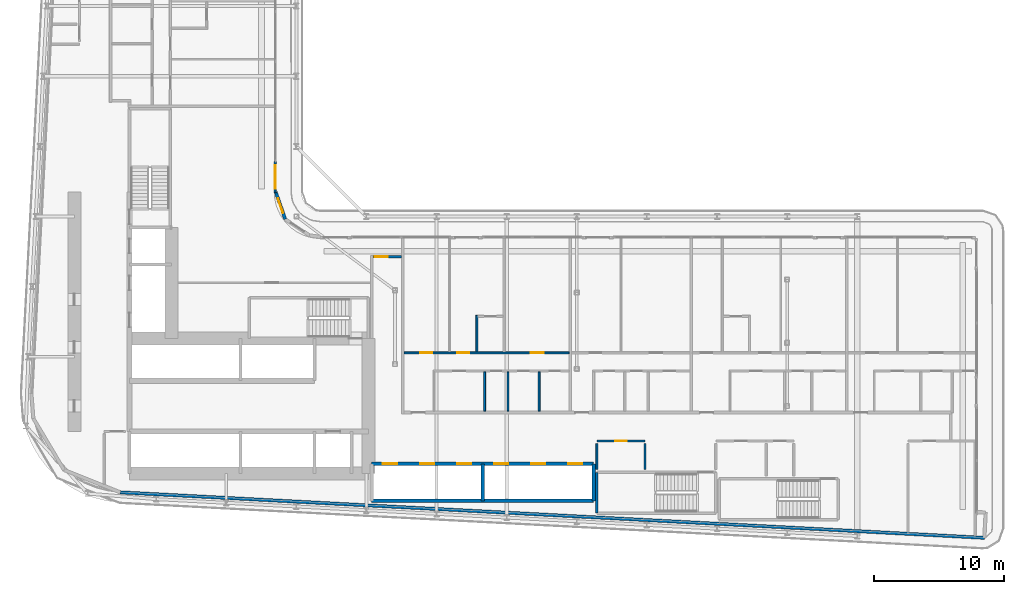
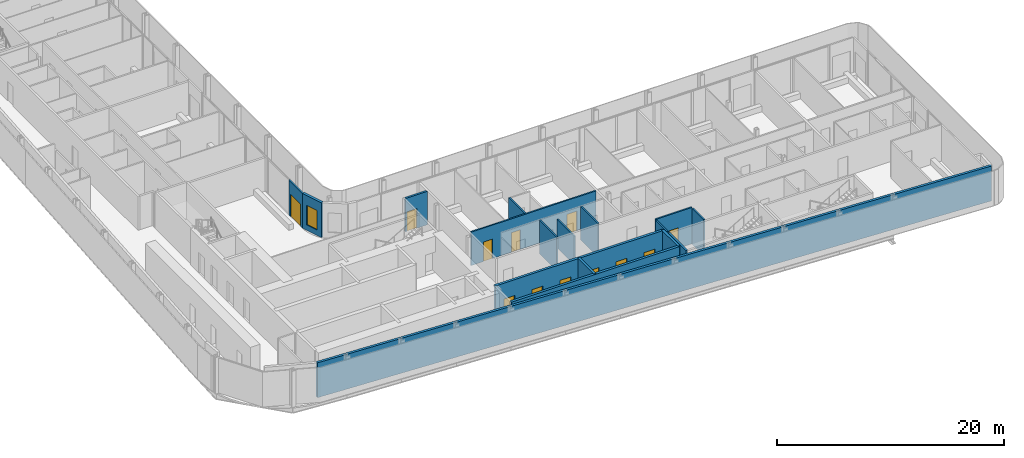
# One storey, part 13 of 27: 17 walls, 12 doors, 1 window, 13 openings.
"""IFC4 building model written with IfcOpenShell, lengths in metres."""

from ifc_helpers import new_model, si_unit, direction, frame, frame_2d, origin, place, context, subcontext, project, spatial, rectangle, extrude, source, transform, mapped, material, layer, layer_set, type_object, element, fill, save


model = new_model("IFC4")

# Units and contexts
model_context = context("Model", 3, precision=1e-05, world=origin(), true_north=direction((0.0, 1.0)))
body_context = subcontext(model_context, "Body", "Model", "MODEL_VIEW")
ifc_project = project(units=[si_unit("LENGTHUNIT", "METRE"), si_unit("AREAUNIT", "SQUARE_METRE"), si_unit("VOLUMEUNIT", "CUBIC_METRE"), si_unit("PLANEANGLEUNIT", "RADIAN"), si_unit("MASSUNIT", "GRAM", prefix="KILO")], contexts=[model_context])

# Site, building, storey
site_placement = place(None, origin())
site = spatial("IfcSite", under=ifc_project, at=site_placement, CompositionType="ELEMENT")
building_placement = place(site_placement, origin())
building = spatial("IfcBuilding", under=site, at=building_placement, Name="Kheshtan School and Residences Tower", CompositionType="ELEMENT")
storey_placement = place(building_placement, frame((0.0, 0.0, 57.800048828125)))
storey = spatial("IfcBuildingStorey", under=building, at=storey_placement, Name="L13", CompositionType="ELEMENT", Elevation=57.800048828125)

# Wall, opening, door
ifc_material_1 = material(Name="Gypsum board on steel studs with fire boards", Category="steel")
ifc_layer_1 = layer(ifc_material_1, 0.199951171875)
ifc_layer_set_1 = layer_set([ifc_layer_1], Name="Corridor wall 200")
wall_type_1 = type_object("IfcWallType", Name="Corridor wall 200", PredefinedType="PARTITIONING", material=ifc_layer_set_1)
wall_1_placement = place(storey_placement, frame((53.5, 42.5, 0.0), z_axis=(0.0, 0.0, 1.0), x_axis=(1.0, 0.0, 0.0)))
wall_1 = element("IfcWall", 1, at=wall_1_placement, inside=storey, type_object=wall_type_1, Name="Partition L13-044", PredefinedType="PARTITIONING", context=body_context, shape_type="SweptSolid", body=[
    extrude(rectangle(XDim=2.199951171875, YDim=0.199951171875, at=frame_2d((1.10009765625, 0.0))), origin(), (0.0, 0.0, 1.0), 3.599853515625),
])
opening_1_placement = place(wall_1_placement, frame((0.14990234375, 0.0, 0.0)))
opening_1 = element("IfcOpeningElement", 2, at=opening_1_placement, cuts=wall_1, Name="Opening D12-059", PredefinedType="OPENING", context=body_context, shape_type="SweptSolid", body=[
    extrude(rectangle(XDim=1.0, YDim=2.10009765625, at=frame_2d((0.5, 1.050048828125))), frame((0.0, 0.10986328125, 0.0), z_axis=(0.0, -1.0, 0.0), x_axis=(1.0, 0.0, 0.0)), (0.0, 0.0, 1.0), 0.219970703125),
])
ifc_material_2 = material(Name="Steel-framed fire-resisting door leaf", Category="steel")
door_type_1 = type_object("IfcDoorType", Name="Fire door FD60 1000 x 2100", OperationType="SINGLE_SWING_LEFT", PredefinedType="DOOR", material=ifc_material_2)
shared_shape_1 = source(origin(), body_context, "Body", "SweptSolid", [
    extrude(rectangle(XDim=1.0, YDim=2.10009765625, at=frame_2d((0.5, 1.050048828125))), frame((0.0, 0.02490234375, 0.0), z_axis=(0.0, -1.0, 0.0), x_axis=(1.0, 0.0, 0.0)), (0.0, 0.0, 1.0), 0.050048828125),
])
door_1_placement = place(opening_1_placement, origin())
door_1 = element("IfcDoor", 3, at=door_1_placement, inside=storey, type_object=door_type_1, Name="Door D12-059", OperationType="SINGLE_SWING_RIGHT", OverallHeight=2.10009765625, OverallWidth=1.0, PredefinedType="DOOR", context=body_context, shape_type="MappedRepresentation", body=[
    mapped(shared_shape_1, transform((0.0, 0.0, 0.0), x_axis=(1.0, 0.0, 0.0), y_axis=(0.0, 1.0, 0.0), z_axis=(0.0, 0.0, 1.0), scale=1.0)),
])
fill(opening_1, door_1)

# Wall, opening, window
ifc_material_3 = material(Name="Concrete C40/50 with ceramic cladding and mineral wool insulation", Category="concrete")
ifc_layer_2 = layer(ifc_material_3, 0.25)
ifc_layer_set_2 = layer_set([ifc_layer_2], Name="External wall 250 ceramic clad")
wall_type_2 = type_object("IfcWallType", Name="External wall 250 ceramic clad", PredefinedType="SOLIDWALL", material=ifc_layer_set_2)
wall_2_placement = place(storey_placement, frame((46.01806640625, 47.470947265625, 0.0), z_axis=(0.0, 0.0, 1.0), x_axis=(0.328791208903, -0.944402637093, 0.0)))
wall_2 = element("IfcWall", 4, at=wall_2_placement, inside=storey, type_object=wall_type_2, Name="External wall L13 9", PredefinedType="SOLIDWALL", context=body_context, shape_type="SweptSolid", body=[
    extrude(rectangle(XDim=2.20458984375, YDim=0.25, at=frame_2d((1.102294921875, 0.0))), origin(), (0.0, 0.0, 1.0), 3.75),
])
opening_2_placement = place(wall_2_placement, frame((0.5029296875, 0.0, 0.60009765625)))
opening_2 = element("IfcOpeningElement", 5, at=opening_2_placement, cuts=wall_2, Name="Opening WN-E", PredefinedType="OPENING", context=body_context, shape_type="SweptSolid", body=[
    extrude(rectangle(XDim=1.199951171875, YDim=2.10009765625, at=frame_2d((0.60009765625, 1.050048828125))), frame((0.0, 0.135009765625, 0.0), z_axis=(0.0, -1.0, 0.0), x_axis=(1.0, 0.0, 0.0)), (0.0, 0.0, 1.0), 0.27001953125),
])
ifc_material_4 = material(Name="Clear low-e glass in thermally broken aluminium frame", Category="aluminium")
window_type = type_object("IfcWindowType", Name="Window WN-E", PartitioningType="SINGLE_PANEL", PredefinedType="WINDOW", material=ifc_material_4)
shared_shape_2 = source(origin(), body_context, "Body", "SweptSolid", [
    extrude(rectangle(XDim=1.199951171875, YDim=2.10009765625, at=frame_2d((0.60009765625, 1.050048828125))), frame((0.0, 0.030029296875, 0.0), z_axis=(0.0, -1.0, 0.0), x_axis=(1.0, 0.0, 0.0)), (0.0, 0.0, 1.0), 0.06005859375),
])
window_placement = place(opening_2_placement, origin())
window = element("IfcWindow", 6, at=window_placement, inside=storey, type_object=window_type, Name="Window L13 9", OverallHeight=2.10009765625, OverallWidth=1.199951171875, PartitioningType="SINGLE_PANEL", PredefinedType="WINDOW", context=body_context, shape_type="MappedRepresentation", body=[
    mapped(shared_shape_2, transform((0.0, 0.0, 0.0), x_axis=(1.0, 0.0, 0.0), y_axis=(0.0, 1.0, 0.0), z_axis=(0.0, 0.0, 1.0), scale=1.0)),
])
fill(opening_2, window)

# Wall
wall_3_placement = place(storey_placement, frame((100.5859375, 20.85009765625, 0.0), z_axis=(0.0, 0.0, 1.0), x_axis=(-0.99861746497, 0.052565755559, 0.0)))
element("IfcWall", 7, at=wall_3_placement, inside=storey, type_object=wall_type_2, Name="External wall L13 16", PredefinedType="SOLIDWALL", context=body_context, shape_type="SweptSolid", body=[
    extrude(rectangle(XDim=66.638916015625, YDim=0.25, at=frame_2d((33.3193359375, 0.0))), origin(), (0.0, 0.0, 1.0), 3.75),
])

# Wall, opening, door
ifc_material_5 = material(Name="Aluminium frame wall with insulated infill", Category="aluminium")
ifc_layer_3 = layer(ifc_material_5, 0.14990234375)
ifc_layer_set_3 = layer_set([ifc_layer_3], Name="Glazing frame wall 150")
wall_type_3 = type_object("IfcWallType", Name="Glazing frame wall 150", PredefinedType="SOLIDWALL", material=ifc_layer_set_3)
wall_4_placement = place(storey_placement, frame((45.97509765625, 49.830078125, 0.0), z_axis=(0.0, 0.0, 1.0), x_axis=(0.0, -1.0, 0.0)))
wall_4 = element("IfcWall", 8, at=wall_4_placement, inside=storey, type_object=wall_type_3, Name="Balcony door wall L13 8.5", PredefinedType="SOLIDWALL", context=body_context, shape_type="SweptSolid", body=[
    extrude(rectangle(XDim=2.400146484375, YDim=0.14990234375, at=frame_2d((1.2001953125, 0.0))), origin(), (0.0, 0.0, 1.0), 3.75),
])
opening_3_placement = place(wall_4_placement, frame((0.300048828125, 0.0, 0.0)))
opening_3 = element("IfcOpeningElement", 9, at=opening_3_placement, cuts=wall_4, Name="Opening BD", PredefinedType="OPENING", context=body_context, shape_type="SweptSolid", body=[
    extrude(rectangle(XDim=1.800048828125, YDim=2.39990234375, at=frame_2d((0.89990234375, 1.199951171875))), frame((0.0, 0.0849609375, 0.0), z_axis=(0.0, -1.0, 0.0), x_axis=(1.0, 0.0, 0.0)), (0.0, 0.0, 1.0), 0.169921875),
])
door_type_2 = type_object("IfcDoorType", Name="Balcony sliding door", OperationType="SLIDING_TO_LEFT", PredefinedType="DOOR", material=ifc_material_4)
shared_shape_3 = source(origin(), body_context, "Body", "SweptSolid", [
    extrude(rectangle(XDim=1.800048828125, YDim=2.39990234375, at=frame_2d((0.89990234375, 1.199951171875))), frame((0.0, 0.02490234375, 0.0), z_axis=(0.0, -1.0, 0.0), x_axis=(1.0, 0.0, 0.0)), (0.0, 0.0, 1.0), 0.050048828125),
])
door_2_placement = place(opening_3_placement, origin())
door_2 = element("IfcDoor", 10, at=door_2_placement, inside=storey, type_object=door_type_2, Name="Balcony door L13 8.5", OperationType="SLIDING_TO_LEFT", OverallHeight=2.39990234375, OverallWidth=1.800048828125, PredefinedType="DOOR", context=body_context, shape_type="MappedRepresentation", body=[
    mapped(shared_shape_3, transform((0.0, 0.0, 0.0), x_axis=(1.0, 0.0, 0.0), y_axis=(0.0, 1.0, 0.0), z_axis=(0.0, 0.0, 1.0), scale=1.0)),
])
fill(opening_3, door_2)

ifc_material_6 = material(Name="Fire-board shaft wall system")
ifc_layer_4 = layer(ifc_material_6, 0.14990234375)
ifc_layer_set_4 = layer_set([ifc_layer_4], Name="Service room wall 150")
wall_type_4 = type_object("IfcWallType", Name="Service room wall 150", PredefinedType="PARTITIONING", material=ifc_layer_set_4)
wall_5_placement = place(storey_placement, frame((70.75, 28.300048828125, 0.0), z_axis=(0.0, 0.0, 1.0), x_axis=(1.0, 0.0, 0.0)))
wall_5 = element("IfcWall", 11, at=wall_5_placement, inside=storey, type_object=wall_type_4, Name="Service room wall", PredefinedType="PARTITIONING", context=body_context, shape_type="SweptSolid", body=[
    extrude(rectangle(XDim=3.7041015625, YDim=0.14990234375, at=frame_2d((1.85205078125, 0.0))), origin(), (0.0, 0.0, 1.0), 3.89990234375),
])
opening_4_placement = place(wall_5_placement, frame((1.402099609375, 0.0, 0.0)))
opening_4 = element("IfcOpeningElement", 12, at=opening_4_placement, cuts=wall_5, Name="Opening SR90", PredefinedType="OPENING", context=body_context, shape_type="SweptSolid", body=[
    extrude(rectangle(XDim=0.89990234375, YDim=2.199951171875, at=frame_2d((0.449951171875, 1.10009765625))), frame((0.0, 0.0849609375, 0.0), z_axis=(0.0, -1.0, 0.0), x_axis=(1.0, 0.0, 0.0)), (0.0, 0.0, 1.0), 0.169921875),
])
ifc_material_7 = material(Name="Steel door leaf, galvanised", Category="steel")
door_type_3 = type_object("IfcDoorType", Name="Service room door 900 steel 90 min", OperationType="SINGLE_SWING_LEFT", PredefinedType="DOOR", material=ifc_material_7)
shared_shape_4 = source(origin(), body_context, "Body", "SweptSolid", [
    extrude(rectangle(XDim=0.89990234375, YDim=2.199951171875, at=frame_2d((0.449951171875, 1.10009765625))), frame((0.0, 0.02490234375, 0.0), z_axis=(0.0, -1.0, 0.0), x_axis=(1.0, 0.0, 0.0)), (0.0, 0.0, 1.0), 0.050048828125),
])
door_3_placement = place(opening_4_placement, origin())
door_3 = element("IfcDoor", 13, at=door_3_placement, inside=storey, type_object=door_type_3, Name="Service room door", OperationType="SINGLE_SWING_LEFT", OverallHeight=2.199951171875, OverallWidth=0.89990234375, PredefinedType="DOOR", context=body_context, shape_type="MappedRepresentation", body=[
    mapped(shared_shape_4, transform((0.0, 0.0, 0.0), x_axis=(1.0, 0.0, 0.0), y_axis=(0.0, 1.0, 0.0), z_axis=(0.0, 0.0, 1.0), scale=1.0)),
])
fill(opening_4, door_3)

# Walls
for number, where, z_axis, x_axis, name in (
    (14, (70.75, 26.1201171875, 0.0), (0.0, 0.0, 1.0), (0.0, 1.0, 0.0), "Service room wall"),
    (15, (74.4541015625, 26.1201171875, 0.0), (0.0, 0.0, 1.0), (0.0, 1.0, 0.0), "Service room wall"),
):
    element("IfcWall", number, at=place(storey_placement, frame(where, z_axis=z_axis, x_axis=x_axis)), inside=storey, type_object=wall_type_4, Name=name, PredefinedType="PARTITIONING", context=body_context, shape_type="SweptSolid", body=[
        extrude(rectangle(XDim=1.98486328125, YDim=0.14990234375, at=frame_2d((0.992431640625, 0.0))), origin(), (0.0, 0.0, 1.0), 3.89990234375),
    ])
ifc_layer_5 = layer(ifc_material_6, 0.25)
ifc_layer_set_5 = layer_set([ifc_layer_5], Name="Shaft lining wall 250")
wall_type_5 = type_object("IfcWallType", Name="Shaft lining wall 250", PredefinedType="PARTITIONING", material=ifc_layer_set_5)
for number, where, z_axis, x_axis, name in (
    (16, (61.949951171875, 23.699951171875, 0.0), (0.0, 0.0, 1.0), (0.0, 1.0, 0.0), "Shaft lining wall"),
    (17, (70.5, 23.699951171875, 0.0), (0.0, 0.0, 1.0), (0.0, 1.0, 0.0), "Shaft lining wall"),
):
    element("IfcWall", number, at=place(storey_placement, frame(where, z_axis=z_axis, x_axis=x_axis)), inside=storey, type_object=wall_type_5, Name=name, PredefinedType="PARTITIONING", context=body_context, shape_type="SweptSolid", body=[
        extrude(rectangle(XDim=2.85009765625, YDim=0.25, at=frame_2d((1.425048828125, 0.0))), origin(), (0.0, 0.0, 1.0), 3.89990234375),
    ])
wall_6_placement = place(storey_placement, frame((53.39990234375, 23.699951171875, 0.0), z_axis=(0.0, 0.0, 1.0), x_axis=(1.0, 0.0, 0.0)))
element("IfcWall", 18, at=wall_6_placement, inside=storey, type_object=wall_type_5, Name="Shaft lining wall", PredefinedType="PARTITIONING", context=body_context, shape_type="SweptSolid", body=[
    extrude(rectangle(XDim=17.10009765625, YDim=0.25, at=frame_2d((8.550048828125, 0.0))), origin(), (0.0, 0.0, 1.0), 3.89990234375),
])

# Wall, openings, doors
wall_7_placement = place(storey_placement, frame((53.39990234375, 26.550048828125, 0.0), z_axis=(0.0, 0.0, 1.0), x_axis=(1.0, 0.0, 0.0)))
wall_7 = element("IfcWall", 19, at=wall_7_placement, inside=storey, type_object=wall_type_5, Name="Shaft lining wall", PredefinedType="PARTITIONING", context=body_context, shape_type="SweptSolid", body=[
    extrude(rectangle(XDim=17.10009765625, YDim=0.25, at=frame_2d((8.550048828125, 0.0))), origin(), (0.0, 0.0, 1.0), 3.89990234375),
])
opening_5_placement = place(wall_7_placement, frame((0.875, 0.0, 0.0)))
opening_5 = element("IfcOpeningElement", 20, at=opening_5_placement, cuts=wall_7, Name="Opening LD", PredefinedType="OPENING", context=body_context, shape_type="SweptSolid", body=[
    extrude(rectangle(XDim=1.10009765625, YDim=2.199951171875, at=frame_2d((0.550048828125, 1.10009765625))), frame((0.0, 0.135009765625, 0.0), z_axis=(0.0, -1.0, 0.0), x_axis=(1.0, 0.0, 0.0)), (0.0, 0.0, 1.0), 0.27001953125),
])
opening_6_placement = place(wall_7_placement, frame((3.72509765625, 0.0, 0.0)))
opening_6 = element("IfcOpeningElement", 21, at=opening_6_placement, cuts=wall_7, Name="Opening LD", PredefinedType="OPENING", context=body_context, shape_type="SweptSolid", body=[
    extrude(rectangle(XDim=1.10009765625, YDim=2.199951171875, at=frame_2d((0.550048828125, 1.10009765625))), frame((0.0, 0.135009765625, 0.0), z_axis=(0.0, -1.0, 0.0), x_axis=(1.0, 0.0, 0.0)), (0.0, 0.0, 1.0), 0.27001953125),
])
opening_7_placement = place(wall_7_placement, frame((6.574951171875, 0.0, 0.0)))
opening_7 = element("IfcOpeningElement", 22, at=opening_7_placement, cuts=wall_7, Name="Opening LD", PredefinedType="OPENING", context=body_context, shape_type="SweptSolid", body=[
    extrude(rectangle(XDim=1.10009765625, YDim=2.199951171875, at=frame_2d((0.550048828125, 1.10009765625))), frame((0.0, 0.135009765625, 0.0), z_axis=(0.0, -1.0, 0.0), x_axis=(1.0, 0.0, 0.0)), (0.0, 0.0, 1.0), 0.27001953125),
])
opening_8_placement = place(wall_7_placement, frame((9.425048828125, 0.0, 0.0)))
opening_8 = element("IfcOpeningElement", 23, at=opening_8_placement, cuts=wall_7, Name="Opening LD", PredefinedType="OPENING", context=body_context, shape_type="SweptSolid", body=[
    extrude(rectangle(XDim=1.10009765625, YDim=2.199951171875, at=frame_2d((0.550048828125, 1.10009765625))), frame((0.0, 0.135009765625, 0.0), z_axis=(0.0, -1.0, 0.0), x_axis=(1.0, 0.0, 0.0)), (0.0, 0.0, 1.0), 0.27001953125),
])
opening_9_placement = place(wall_7_placement, frame((12.27490234375, 0.0, 0.0)))
opening_9 = element("IfcOpeningElement", 24, at=opening_9_placement, cuts=wall_7, Name="Opening LD", PredefinedType="OPENING", context=body_context, shape_type="SweptSolid", body=[
    extrude(rectangle(XDim=1.10009765625, YDim=2.199951171875, at=frame_2d((0.550048828125, 1.10009765625))), frame((0.0, 0.135009765625, 0.0), z_axis=(0.0, -1.0, 0.0), x_axis=(1.0, 0.0, 0.0)), (0.0, 0.0, 1.0), 0.27001953125),
])
opening_10_placement = place(wall_7_placement, frame((15.125, 0.0, 0.0)))
opening_10 = element("IfcOpeningElement", 25, at=opening_10_placement, cuts=wall_7, Name="Opening LD", PredefinedType="OPENING", context=body_context, shape_type="SweptSolid", body=[
    extrude(rectangle(XDim=1.10009765625, YDim=2.199951171875, at=frame_2d((0.550048828125, 1.10009765625))), frame((0.0, 0.135009765625, 0.0), z_axis=(0.0, -1.0, 0.0), x_axis=(1.0, 0.0, 0.0)), (0.0, 0.0, 1.0), 0.27001953125),
])
ifc_material_8 = material(Name="Stainless steel door leaves", Category="steel")
door_type_4 = type_object("IfcDoorType", Name="Lift landing door 1100", OperationType="SLIDING_TO_LEFT", PredefinedType="DOOR", material=ifc_material_8)
shared_shape_5 = source(origin(), body_context, "Body", "SweptSolid", [
    extrude(rectangle(XDim=1.10009765625, YDim=2.199951171875, at=frame_2d((0.550048828125, 1.10009765625))), frame((0.0, 0.02490234375, 0.0), z_axis=(0.0, -1.0, 0.0), x_axis=(1.0, 0.0, 0.0)), (0.0, 0.0, 1.0), 0.050048828125),
])
door_4_placement = place(opening_5_placement, origin())
door_4 = element("IfcDoor", 26, at=door_4_placement, inside=storey, type_object=door_type_4, Name="Lift P1 landing door", OperationType="SLIDING_TO_LEFT", OverallHeight=2.199951171875, OverallWidth=1.10009765625, PredefinedType="DOOR", context=body_context, shape_type="MappedRepresentation", body=[
    mapped(shared_shape_5, transform((0.0, 0.0, 0.0), x_axis=(1.0, 0.0, 0.0), y_axis=(0.0, 1.0, 0.0), z_axis=(0.0, 0.0, 1.0), scale=1.0)),
])
fill(opening_5, door_4)
door_5_placement = place(opening_6_placement, origin())
door_5 = element("IfcDoor", 27, at=door_5_placement, inside=storey, type_object=door_type_4, Name="Lift P2 landing door", OperationType="SLIDING_TO_LEFT", OverallHeight=2.199951171875, OverallWidth=1.10009765625, PredefinedType="DOOR", context=body_context, shape_type="MappedRepresentation", body=[
    mapped(shared_shape_5, transform((0.0, 0.0, 0.0), x_axis=(1.0, 0.0, 0.0), y_axis=(0.0, 1.0, 0.0), z_axis=(0.0, 0.0, 1.0), scale=1.0)),
])
fill(opening_6, door_5)
door_6_placement = place(opening_7_placement, origin())
door_6 = element("IfcDoor", 28, at=door_6_placement, inside=storey, type_object=door_type_4, Name="Lift P3 landing door", OperationType="SLIDING_TO_LEFT", OverallHeight=2.199951171875, OverallWidth=1.10009765625, PredefinedType="DOOR", context=body_context, shape_type="MappedRepresentation", body=[
    mapped(shared_shape_5, transform((0.0, 0.0, 0.0), x_axis=(1.0, 0.0, 0.0), y_axis=(0.0, 1.0, 0.0), z_axis=(0.0, 0.0, 1.0), scale=1.0)),
])
fill(opening_7, door_6)
door_7_placement = place(opening_8_placement, origin())
door_7 = element("IfcDoor", 29, at=door_7_placement, inside=storey, type_object=door_type_4, Name="Lift P4 landing door", OperationType="SLIDING_TO_LEFT", OverallHeight=2.199951171875, OverallWidth=1.10009765625, PredefinedType="DOOR", context=body_context, shape_type="MappedRepresentation", body=[
    mapped(shared_shape_5, transform((0.0, 0.0, 0.0), x_axis=(1.0, 0.0, 0.0), y_axis=(0.0, 1.0, 0.0), z_axis=(0.0, 0.0, 1.0), scale=1.0)),
])
fill(opening_8, door_7)
door_8_placement = place(opening_9_placement, origin())
door_8 = element("IfcDoor", 30, at=door_8_placement, inside=storey, type_object=door_type_4, Name="Lift P5 landing door", OperationType="SLIDING_TO_LEFT", OverallHeight=2.199951171875, OverallWidth=1.10009765625, PredefinedType="DOOR", context=body_context, shape_type="MappedRepresentation", body=[
    mapped(shared_shape_5, transform((0.0, 0.0, 0.0), x_axis=(1.0, 0.0, 0.0), y_axis=(0.0, 1.0, 0.0), z_axis=(0.0, 0.0, 1.0), scale=1.0)),
])
fill(opening_9, door_8)
door_9_placement = place(opening_10_placement, origin())
door_9 = element("IfcDoor", 31, at=door_9_placement, inside=storey, type_object=door_type_4, Name="Lift P6 landing door", OperationType="SLIDING_TO_LEFT", OverallHeight=2.199951171875, OverallWidth=1.10009765625, PredefinedType="DOOR", context=body_context, shape_type="MappedRepresentation", body=[
    mapped(shared_shape_5, transform((0.0, 0.0, 0.0), x_axis=(1.0, 0.0, 0.0), y_axis=(0.0, 1.0, 0.0), z_axis=(0.0, 0.0, 1.0), scale=1.0)),
])
fill(opening_10, door_9)

# Wall
ifc_material_9 = material(Name="Concrete C40/50", Category="concrete")
ifc_layer_6 = layer(ifc_material_9, 0.199951171875)
ifc_layer_set_6 = layer_set([ifc_layer_6], Name="Stair enclosure wall 200 Concrete C40/50")
wall_type_6 = type_object("IfcWallType", Name="Stair enclosure wall 200 Concrete C40/50", PredefinedType="SHEAR", material=ifc_layer_set_6)
wall_8_placement = place(storey_placement, frame((70.75, 22.75, 0.0), z_axis=(0.0, 0.0, 1.0), x_axis=(0.0, 1.0, 0.0)))
element("IfcWall", 32, at=wall_8_placement, inside=storey, type_object=wall_type_6, Name="Stair enclosure wall ST5", PredefinedType="SHEAR", context=body_context, shape_type="SweptSolid", body=[
    extrude(rectangle(XDim=3.14990234375, YDim=0.199951171875, at=frame_2d((1.574951171875, 0.0))), origin(), (0.0, 0.0, 1.0), 3.89990234375),
])

# Wall, openings, doors
ifc_material_10 = material(Name="Moisture-resistant gypsum board on steel studs", Category="steel")
ifc_layer_7 = layer(ifc_material_10, 0.14990234375)
ifc_layer_set_7 = layer_set([ifc_layer_7], Name="Wet-room partition 150")
wall_type_7 = type_object("IfcWallType", Name="Wet-room partition 150", PredefinedType="PARTITIONING", material=ifc_layer_set_7)
wall_9_placement = place(storey_placement, frame((55.89990234375, 35.10009765625, 0.0), z_axis=(0.0, 0.0, 1.0), x_axis=(1.0, 0.0, 0.0)))
wall_9 = element("IfcWall", 33, at=wall_9_placement, inside=storey, type_object=wall_type_7, Name="Partition L13-047", PredefinedType="PARTITIONING", context=body_context, shape_type="SweptSolid", body=[
    extrude(rectangle(XDim=12.7001953125, YDim=0.14990234375, at=frame_2d((6.35009765625, 0.0))), origin(), (0.0, 0.0, 1.0), 3.599853515625),
])
opening_11_placement = place(wall_9_placement, frame((1.25, 0.0, 0.0)))
opening_11 = element("IfcOpeningElement", 34, at=opening_11_placement, cuts=wall_9, Name="Opening D12-002", PredefinedType="OPENING", context=body_context, shape_type="SweptSolid", body=[
    extrude(rectangle(XDim=0.89990234375, YDim=2.10009765625, at=frame_2d((0.449951171875, 1.050048828125))), frame((0.0, 0.0849609375, 0.0), z_axis=(0.0, -1.0, 0.0), x_axis=(1.0, 0.0, 0.0)), (0.0, 0.0, 1.0), 0.169921875),
])
opening_12_placement = place(wall_9_placement, frame((9.75, 0.0, 0.0)))
opening_12 = element("IfcOpeningElement", 35, at=opening_12_placement, cuts=wall_9, Name="Opening D12-007", PredefinedType="OPENING", context=body_context, shape_type="SweptSolid", body=[
    extrude(rectangle(XDim=1.0, YDim=2.10009765625, at=frame_2d((0.5, 1.050048828125))), frame((0.0, 0.0849609375, 0.0), z_axis=(0.0, -1.0, 0.0), x_axis=(1.0, 0.0, 0.0)), (0.0, 0.0, 1.0), 0.169921875),
])
opening_13_placement = place(wall_9_placement, frame((4.10009765625, 0.0, 0.0)))
opening_13 = element("IfcOpeningElement", 36, at=opening_13_placement, cuts=wall_9, Name="Opening D12-008", PredefinedType="OPENING", context=body_context, shape_type="SweptSolid", body=[
    extrude(rectangle(XDim=0.89990234375, YDim=2.10009765625, at=frame_2d((0.449951171875, 1.050048828125))), frame((0.0, 0.0849609375, 0.0), z_axis=(0.0, -1.0, 0.0), x_axis=(1.0, 0.0, 0.0)), (0.0, 0.0, 1.0), 0.169921875),
])
ifc_material_11 = material(Name="Veneered timber door leaf", Category="wood")
door_type_5 = type_object("IfcDoorType", Name="Door 1000 x 2100", OperationType="SINGLE_SWING_LEFT", PredefinedType="DOOR", material=ifc_material_11)
shared_shape_6 = source(origin(), body_context, "Body", "SweptSolid", [
    extrude(rectangle(XDim=1.0, YDim=2.10009765625, at=frame_2d((0.5, 1.050048828125))), frame((0.0, 0.02490234375, 0.0), z_axis=(0.0, -1.0, 0.0), x_axis=(1.0, 0.0, 0.0)), (0.0, 0.0, 1.0), 0.050048828125),
])
door_10_placement = place(opening_12_placement, origin())
door_10 = element("IfcDoor", 37, at=door_10_placement, inside=storey, type_object=door_type_5, Name="Door D12-007", OperationType="SINGLE_SWING_LEFT", OverallHeight=2.10009765625, OverallWidth=1.0, PredefinedType="DOOR", context=body_context, shape_type="MappedRepresentation", body=[
    mapped(shared_shape_6, transform((0.0, 0.0, 0.0), x_axis=(1.0, 0.0, 0.0), y_axis=(0.0, 1.0, 0.0), z_axis=(0.0, 0.0, 1.0), scale=1.0)),
])
fill(opening_12, door_10)
door_type_6 = type_object("IfcDoorType", Name="Door 900 x 2100", OperationType="SINGLE_SWING_LEFT", PredefinedType="DOOR", material=ifc_material_11)
shared_shape_7 = source(origin(), body_context, "Body", "SweptSolid", [
    extrude(rectangle(XDim=0.89990234375, YDim=2.10009765625, at=frame_2d((0.449951171875, 1.050048828125))), frame((0.0, 0.02490234375, 0.0), z_axis=(0.0, -1.0, 0.0), x_axis=(1.0, 0.0, 0.0)), (0.0, 0.0, 1.0), 0.050048828125),
])
door_11_placement = place(opening_11_placement, origin())
door_11 = element("IfcDoor", 38, at=door_11_placement, inside=storey, type_object=door_type_6, Name="Door D12-002", OperationType="SINGLE_SWING_RIGHT", OverallHeight=2.10009765625, OverallWidth=0.89990234375, PredefinedType="DOOR", context=body_context, shape_type="MappedRepresentation", body=[
    mapped(shared_shape_7, transform((0.0, 0.0, 0.0), x_axis=(1.0, 0.0, 0.0), y_axis=(0.0, 1.0, 0.0), z_axis=(0.0, 0.0, 1.0), scale=1.0)),
])
fill(opening_11, door_11)
door_12_placement = place(opening_13_placement, origin())
door_12 = element("IfcDoor", 39, at=door_12_placement, inside=storey, type_object=door_type_6, Name="Door D12-008", OperationType="SINGLE_SWING_RIGHT", OverallHeight=2.10009765625, OverallWidth=0.89990234375, PredefinedType="DOOR", context=body_context, shape_type="MappedRepresentation", body=[
    mapped(shared_shape_7, transform((0.0, 0.0, 0.0), x_axis=(1.0, 0.0, 0.0), y_axis=(0.0, 1.0, 0.0), z_axis=(0.0, 0.0, 1.0), scale=1.0)),
])
fill(opening_13, door_12)

# Walls
wall_10_placement = place(storey_placement, frame((61.5, 35.175048828125, 0.0), z_axis=(0.0, 0.0, 1.0), x_axis=(0.0, 1.0, 0.0)))
element("IfcWall", 40, at=wall_10_placement, inside=storey, type_object=wall_type_7, Name="Partition L13-051", PredefinedType="PARTITIONING", context=body_context, shape_type="SweptSolid", body=[
    extrude(rectangle(XDim=2.800048828125, YDim=0.14990234375, at=frame_2d((1.39990234375, 0.0))), origin(), (0.0, 0.0, 1.0), 3.599853515625),
])
wall_11_placement = place(storey_placement, frame((62.10009765625, 30.60009765625, 0.0), z_axis=(0.0, 0.0, 1.0), x_axis=(0.0, 1.0, 0.0)))
element("IfcWall", 41, at=wall_11_placement, inside=storey, type_object=wall_type_7, Name="Partition L13-053", PredefinedType="PARTITIONING", context=body_context, shape_type="SweptSolid", body=[
    extrude(rectangle(XDim=3.02490234375, YDim=0.14990234375, at=frame_2d((1.512451171875, 0.0))), origin(), (0.0, 0.0, 1.0), 3.599853515625),
])
wall_12_placement = place(storey_placement, frame((63.89990234375, 30.60009765625, 0.0), z_axis=(0.0, 0.0, 1.0), x_axis=(0.0, 1.0, 0.0)))
element("IfcWall", 42, at=wall_12_placement, inside=storey, type_object=wall_type_7, Name="Partition L13-055", PredefinedType="PARTITIONING", context=body_context, shape_type="SweptSolid", body=[
    extrude(rectangle(XDim=3.02490234375, YDim=0.14990234375, at=frame_2d((1.512451171875, 0.0))), origin(), (0.0, 0.0, 1.0), 3.072021484375),
])
wall_13_placement = place(storey_placement, frame((66.300048828125, 30.60009765625, 0.0), z_axis=(0.0, 0.0, 1.0), x_axis=(0.0, 1.0, 0.0)))
element("IfcWall", 43, at=wall_13_placement, inside=storey, type_object=wall_type_7, Name="Partition L13-056", PredefinedType="PARTITIONING", context=body_context, shape_type="SweptSolid", body=[
    extrude(rectangle(XDim=3.02490234375, YDim=0.14990234375, at=frame_2d((1.512451171875, 0.0))), origin(), (0.0, 0.0, 1.0), 3.599853515625),
])

save(model, "model.ifc")
